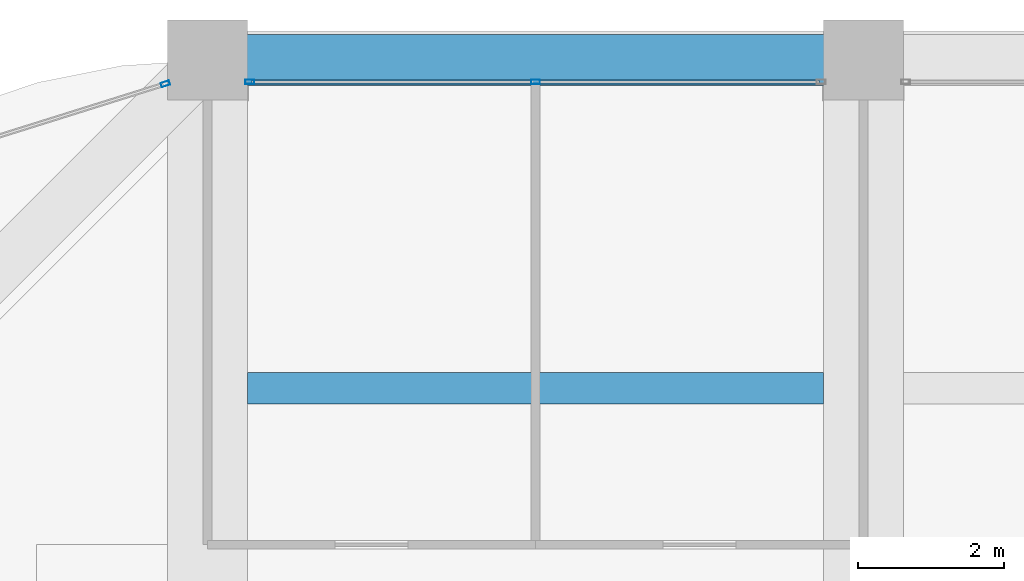
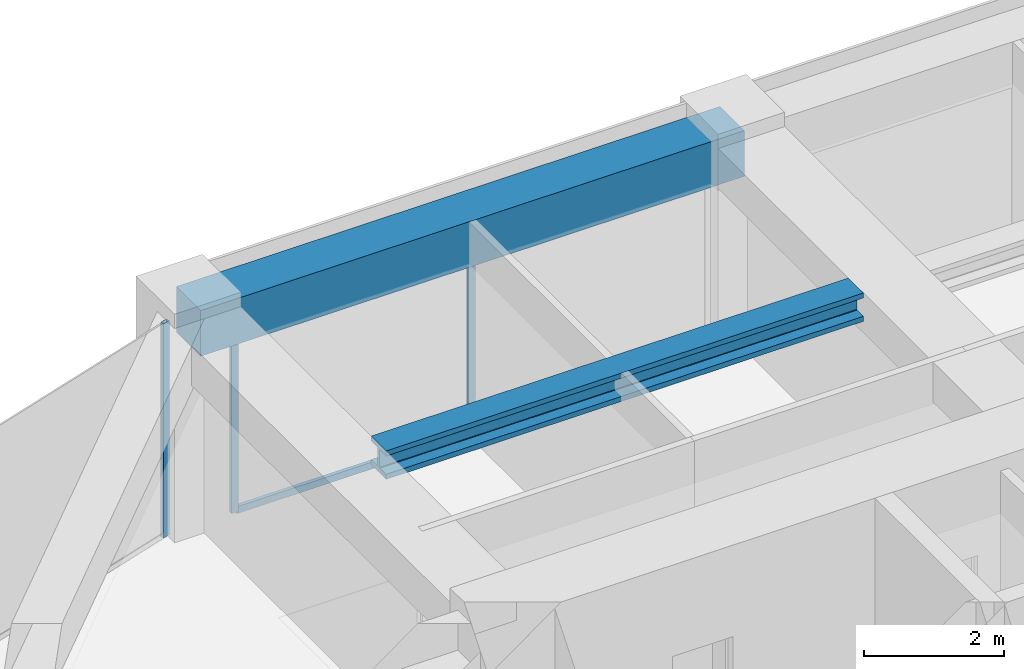
# One storey, part 31 of 44: 4 members, 2 beams, 2 elements without a shape of their own.
"""IFC4 building model written with IfcOpenShell, lengths in metres."""

from ifc_helpers import new_model, si_unit, direction, frame, origin, origin_2d, place, context, subcontext, project, spatial, rectangle, hollow_rectangle, i_section, extrude, material, material_profile, profile_set, type_object, element, aggregate, save


model = new_model("IFC4")

# Units and contexts
model_context = context("Model", 3, precision=1e-05, world=origin(), true_north=direction((0.0, 1.0)))
body_context = subcontext(model_context, "Body", "Model", "MODEL_VIEW")
ifc_project = project(units=[si_unit("LENGTHUNIT", "METRE"), si_unit("AREAUNIT", "SQUARE_METRE"), si_unit("VOLUMEUNIT", "CUBIC_METRE"), si_unit("PLANEANGLEUNIT", "RADIAN"), si_unit("MASSUNIT", "GRAM", prefix="KILO")], contexts=[model_context])

# Site, building, storey
site_placement = place(None, origin())
site = spatial("IfcSite", under=ifc_project, at=site_placement, CompositionType="ELEMENT")
building_placement = place(site_placement, origin())
building = spatial("IfcBuilding", under=site, at=building_placement, Name="Zorevar Civic Tower", CompositionType="ELEMENT")
storey_placement = place(building_placement, frame((0.0, 0.0, 251.39990234375)))
storey = spatial("IfcBuildingStorey", under=building, at=storey_placement, Name="L61", CompositionType="ELEMENT", Elevation=251.39990234375)

# Curtain wall, members
ifc_material_1 = material(Name="Dark grey solar-control glass in black aluminium frame", Category="aluminium")
curtain_wall_type = type_object("IfcCurtainWallType", Name="Curtain wall CW5 top zone", PredefinedType="NOTDEFINED", material=ifc_material_1)
curtain_wall_1_placement = place(storey_placement, origin())
curtain_wall_1 = element("IfcCurtainWall", 1, at=curtain_wall_1_placement, inside=storey, type_object=curtain_wall_type, Name="CW5 L61", PredefinedType="NOTDEFINED")
ifc_material_2 = material(Name="Aluminium, black anodised", Category="aluminium")
ifc_material_profile_1 = material_profile(ifc_material_2, hollow_rectangle(XDim=0.06005859375, YDim=0.1201171875, WallThickness=0.0029296875, at=origin_2d()), Name="AL 120x60x3")
ifc_profile_set_1 = profile_set([ifc_material_profile_1], Name="Aluminium, black anodised")
member_type_1 = type_object("IfcMemberType", Name="CW5 mullion AL 120x60x3", PredefinedType="MULLION", material=ifc_profile_set_1)
member_1_placement = place(storey_placement, frame((18.580078125, 44.699951171875, 0.0), z_axis=(0.0, 0.0, 1.0), x_axis=(0.0, 1.0, 0.0)))
member_1 = element("IfcMember", 2, at=member_1_placement, type_object=member_type_1, Name="CW5 mullion 1", PredefinedType="MULLION", context=body_context, shape_type="SweptSolid", body=[
    extrude(hollow_rectangle(XDim=0.06005859375, YDim=0.1201171875, WallThickness=0.0029296875, at=origin_2d()), origin(), (0.0, 0.0, 1.0), 2.9501953125),
])
member_2_placement = place(storey_placement, frame((22.5, 44.699951171875, 0.06005859375), z_axis=(0.0, 0.0, 1.0), x_axis=(0.0, 1.0, 0.0)))
member_2 = element("IfcMember", 3, at=member_2_placement, type_object=member_type_1, Name="CW5 mullion 2", PredefinedType="MULLION", context=body_context, shape_type="SweptSolid", body=[
    extrude(hollow_rectangle(XDim=0.06005859375, YDim=0.1201171875, WallThickness=0.0029296875, at=origin_2d()), origin(), (0.0, 0.0, 1.0), 2.89013671875),
])

# Curtain wall, member
curtain_wall_2_placement = place(storey_placement, origin())
curtain_wall_2 = element("IfcCurtainWall", 4, at=curtain_wall_2_placement, inside=storey, type_object=curtain_wall_type, Name="CW5 L61", PredefinedType="NOTDEFINED")
member_3_placement = place(storey_placement, frame((17.42138671875, 44.673583984375, 0.0), z_axis=(0.0, 0.0, 1.0), x_axis=(0.299317920238, -0.954153437674, 0.0)))
member_3 = element("IfcMember", 5, at=member_3_placement, type_object=member_type_1, Name="CW5 mullion 1", PredefinedType="MULLION", context=body_context, shape_type="SweptSolid", body=[
    extrude(hollow_rectangle(XDim=0.06005859375, YDim=0.1201171875, WallThickness=0.0029296875, at=origin_2d()), origin(), (0.0, 0.0, 1.0), 3.75),
])
aggregate(curtain_wall_2, [member_3])

# Member
ifc_material_3 = material(Name="Aluminium, black anodised", Category="aluminium")
ifc_material_profile_2 = material_profile(ifc_material_3, hollow_rectangle(XDim=0.06005859375, YDim=0.1201171875, WallThickness=0.0029296875, at=origin_2d()), Name="AL 120x60x3")
ifc_profile_set_2 = profile_set([ifc_material_profile_2], Name="Aluminium, black anodised")
member_type_2 = type_object("IfcMemberType", Name="CW5 transom AL 120x60x3", PredefinedType="USERDEFINED", material=ifc_profile_set_2)
member_4_placement = place(storey_placement, frame((18.610107421875, 44.699951171875, 0.030029296875), z_axis=(1.0, 0.0, 0.0), x_axis=(0.0, 1.0, 0.0)))
member_4 = element("IfcMember", 6, at=member_4_placement, type_object=member_type_2, Name="CW5 sill transom", ObjectType="TRANSOM", PredefinedType="USERDEFINED", context=body_context, shape_type="SweptSolid", body=[
    extrude(hollow_rectangle(XDim=0.06005859375, YDim=0.1201171875, WallThickness=0.0029296875, at=origin_2d()), origin(), (0.0, 0.0, 1.0), 7.77978515625),
])

aggregate(curtain_wall_1, [member_1, member_2, member_4])

# Beams
ifc_material_4 = material(Name="Steel S460M (HISTAR 460)", Category="steel")
ifc_material_profile_3 = material_profile(ifc_material_4, i_section(OverallWidth=0.431884765625, OverallDepth=0.498046875, WebThickness=0.0556640625, FlangeThickness=0.0888671875, FilletRadius=0.014892578125, at=origin_2d()), Name="HD 400x744")
ifc_profile_set_3 = profile_set([ifc_material_profile_3], Name="Steel S460M (HISTAR 460)")
beam_type_1 = type_object("IfcBeamType", Name="Core bay beam HD 400x744", PredefinedType="BEAM", material=ifc_profile_set_3)
beam_1_placement = place(storey_placement, frame((18.550048828125, 40.5, 3.5009765625), z_axis=(1.0, 0.0, 0.0), x_axis=(0.0, 1.0, 0.0)))
element("IfcBeam", 7, at=beam_1_placement, inside=storey, type_object=beam_type_1, Name="Secondary beam L62", PredefinedType="BEAM", context=body_context, shape_type="SweptSolid", body=[
    extrude(i_section(OverallWidth=0.431884765625, OverallDepth=0.498046875, WebThickness=0.0556640625, FlangeThickness=0.0888671875, FilletRadius=0.014892578125, at=origin_2d()), origin(), (0.0, 0.0, 1.0), 7.89990234375),
])
ifc_material_5 = material(Name="Concrete C50/60", Category="concrete")
ifc_material_profile_4 = material_profile(ifc_material_5, rectangle(XDim=0.699951171875, YDim=0.800048828125, at=origin_2d()), Name="RC 700x800")
ifc_profile_set_4 = profile_set([ifc_material_profile_4], Name="Concrete C50/60")
beam_type_2 = type_object("IfcBeamType", Name="Edge beam RC 700x800", PredefinedType="SPANDREL", material=ifc_profile_set_4)
beam_2_placement = place(storey_placement, frame((18.0, 45.0, 3.35009765625), z_axis=(1.0, 0.0, 0.0), x_axis=(0.0, 1.0, 0.0)))
element("IfcBeam", 8, at=beam_2_placement, inside=storey, type_object=beam_type_2, Name="Edge beam L62", PredefinedType="SPANDREL", context=body_context, shape_type="SweptSolid", body=[
    extrude(rectangle(XDim=0.699951171875, YDim=0.800048828125, at=origin_2d()), origin(), (0.0, 0.0, 1.0), 9.0),
])

save(model, "model.ifc")
